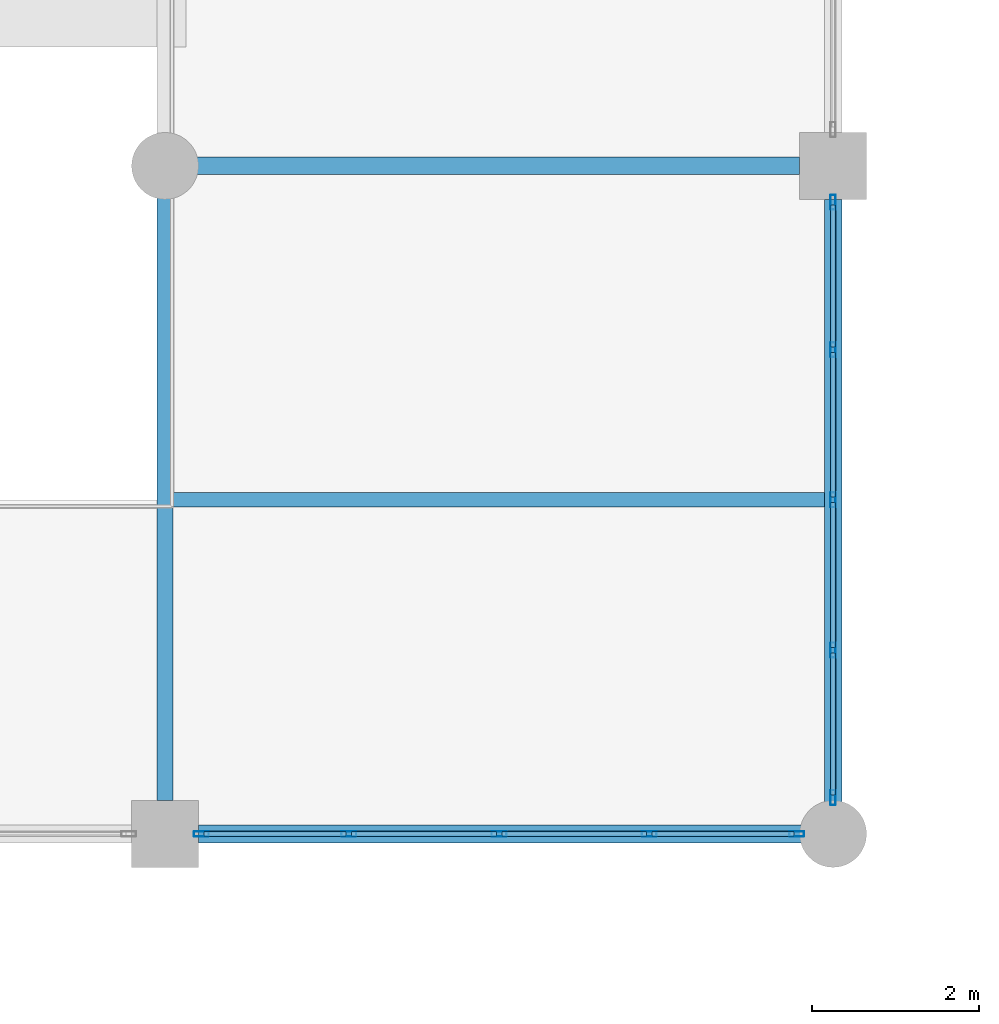
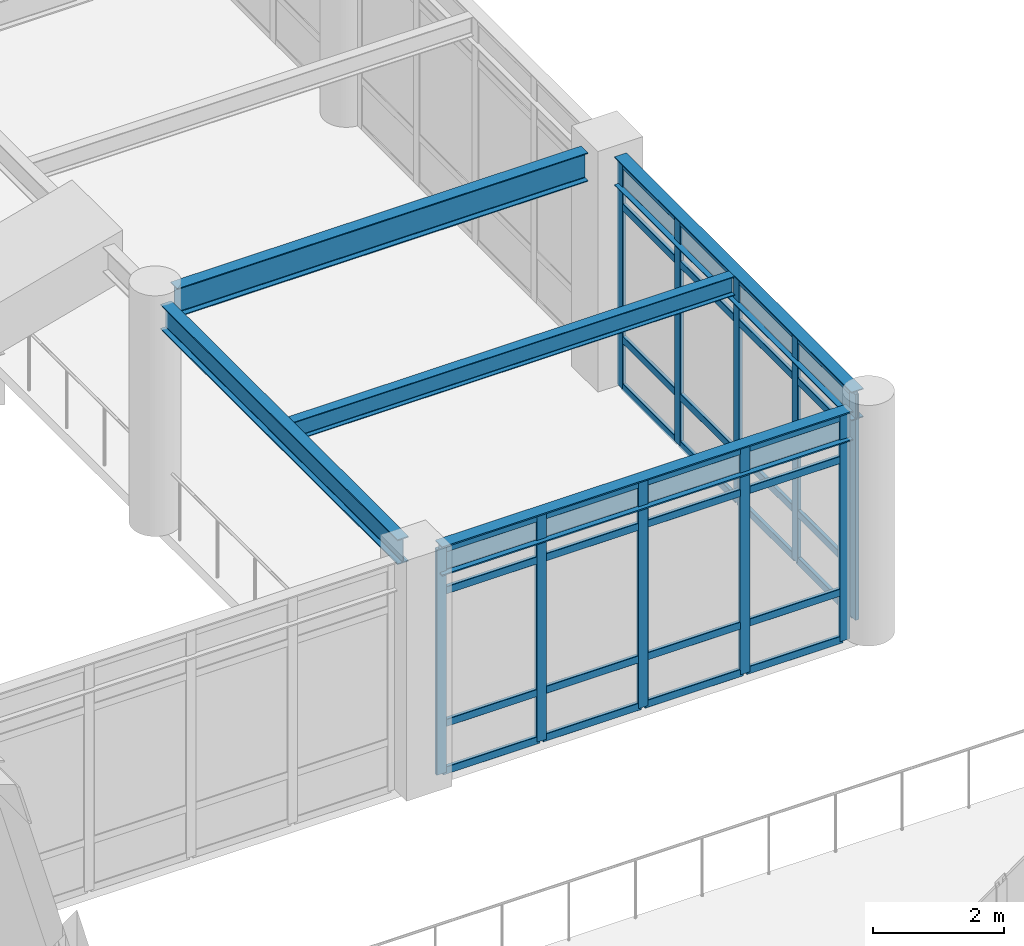
# One storey, part 31 of 111: 42 members, 5 beams, 2 elements without a shape of their own.
"""IFC4 building model written with IfcOpenShell, lengths in metres."""

from ifc_helpers import new_model, si_unit, direction, frame, origin, origin_2d, place, context, subcontext, project, spatial, hollow_rectangle, i_section, extrude, material, material_profile, profile_set, type_object, element, aggregate, save


model = new_model("IFC4")

# Units and contexts
model_context = context("Model", 3, precision=1e-05, world=origin(), true_north=direction((0.0, 1.0)))
body_context = subcontext(model_context, "Body", "Model", "MODEL_VIEW")
ifc_project = project(units=[si_unit("LENGTHUNIT", "METRE"), si_unit("AREAUNIT", "SQUARE_METRE"), si_unit("VOLUMEUNIT", "CUBIC_METRE"), si_unit("PLANEANGLEUNIT", "RADIAN"), si_unit("MASSUNIT", "GRAM", prefix="KILO")], contexts=[model_context])

# Site, building, storey
site_placement = place(None, origin())
site = spatial("IfcSite", under=ifc_project, at=site_placement, CompositionType="ELEMENT")
building_placement = place(site_placement, origin())
building = spatial("IfcBuilding", under=site, at=building_placement, Name="Solmirada Galleria", CompositionType="ELEMENT")
storey_placement = place(building_placement, frame((0.0, 0.0, 10.39990234375)))
storey = spatial("IfcBuildingStorey", under=building, at=storey_placement, Name="L02", CompositionType="ELEMENT", Elevation=10.39990234375)

# Beams
ifc_material_1 = material(Name="Steel S355 / ASTM A992 Grade 50", Category="steel")
ifc_material_profile_1 = material_profile(ifc_material_1, i_section(OverallWidth=0.194091796875, OverallDepth=0.468994140625, WebThickness=0.0126953125, FlangeThickness=0.0205078125, FilletRadius=0.013916015625, at=origin_2d()), Name="W18X71")
ifc_profile_set_1 = profile_set([ifc_material_profile_1], Name="Steel S355 / ASTM A992 Grade 50")
beam_type_1 = type_object("IfcBeamType", Name="BM-GIRD-W18B", PredefinedType="BEAM", material=ifc_profile_set_1)
beam_1_placement = place(storey_placement, frame((104.0, 48.39990234375, 4.065673828125), z_axis=(0.0, 1.0, 0.0), x_axis=(-1.0, 0.0, 0.0)))
element("IfcBeam", 1, at=beam_1_placement, inside=storey, type_object=beam_type_1, Name="Primary girder L03 Y(104, 48..56)", PredefinedType="BEAM", context=body_context, shape_type="SweptSolid", body=[
    extrude(i_section(OverallWidth=0.194091796875, OverallDepth=0.468994140625, WebThickness=0.0126953125, FlangeThickness=0.0205078125, FilletRadius=0.013916015625, at=origin_2d()), origin(), (0.0, 0.0, 1.0), 7.26416015625),
])
ifc_material_profile_2 = material_profile(ifc_material_1, i_section(OverallWidth=0.214111328125, OverallDepth=0.549072265625, WebThickness=0.0146484375, FlangeThickness=0.023681640625, FilletRadius=0.014892578125, at=origin_2d()), Name="W21X93")
ifc_profile_set_2 = profile_set([ifc_material_profile_2], Name="Steel S355 / ASTM A992 Grade 50")
beam_type_2 = type_object("IfcBeamType", Name="BM-GIRD-W21A", PredefinedType="BEAM", material=ifc_profile_set_2)
beam_2_placement = place(storey_placement, frame((104.39990234375, 48.0, 4.025634765625), z_axis=(1.0, 0.0, 0.0), x_axis=(0.0, 1.0, 0.0)))
element("IfcBeam", 2, at=beam_2_placement, inside=storey, type_object=beam_type_2, Name="Primary beam L03 X(104..112, 48)", PredefinedType="BEAM", context=body_context, shape_type="SweptSolid", body=[
    extrude(i_section(OverallWidth=0.214111328125, OverallDepth=0.549072265625, WebThickness=0.0146484375, FlangeThickness=0.023681640625, FilletRadius=0.014892578125, at=origin_2d()), origin(), (0.0, 0.0, 1.0), 7.26416015625),
])
ifc_material_profile_3 = material_profile(ifc_material_1, i_section(OverallWidth=0.2099609375, OverallDepth=0.537109375, WebThickness=0.010986328125, FlangeThickness=0.017333984375, FilletRadius=0.014892578125, at=origin_2d()), Name="W21X68")
ifc_profile_set_3 = profile_set([ifc_material_profile_3], Name="Steel S355 / ASTM A992 Grade 50")
beam_type_3 = type_object("IfcBeamType", Name="BM-GIRD-W21B", PredefinedType="BEAM", material=ifc_profile_set_3)
for number, where, z_axis, x_axis, name in (
    (3, (104.3359375, 56.0, 4.031494140625), (1.0, 0.0, 0.0), (0.0, 1.0, 0.0), "Primary beam L03 X(104..112, 56)"),
    (4, (112.0, 48.3359375, 4.031494140625), (0.0, 1.0, 0.0), (-1.0, 0.0, 0.0), "Primary girder L03 Y(112, 48..56)"),
):
    element("IfcBeam", number, at=place(storey_placement, frame(where, z_axis=z_axis, x_axis=x_axis)), inside=storey, type_object=beam_type_3, Name=name, PredefinedType="BEAM", context=body_context, shape_type="SweptSolid", body=[
        extrude(i_section(OverallWidth=0.2099609375, OverallDepth=0.537109375, WebThickness=0.010986328125, FlangeThickness=0.017333984375, FilletRadius=0.014892578125, at=origin_2d()), origin(), (0.0, 0.0, 1.0), 7.26416015625),
    ])
ifc_material_profile_4 = material_profile(ifc_material_1, i_section(OverallWidth=0.172119140625, OverallDepth=0.35791015625, WebThickness=0.0078125, FlangeThickness=0.01318359375, FilletRadius=0.011962890625, at=origin_2d()), Name="W14X38")
ifc_profile_set_4 = profile_set([ifc_material_profile_4], Name="Steel S355 / ASTM A992 Grade 50")
beam_type_4 = type_object("IfcBeamType", Name="BM-JST-W14A", PredefinedType="JOIST", material=ifc_profile_set_4)
beam_3_placement = place(storey_placement, frame((104.096923828125, 52.0, 4.12109375), z_axis=(1.0, 0.0, 0.0), x_axis=(0.0, 1.0, 0.0)))
element("IfcBeam", 5, at=beam_3_placement, inside=storey, type_object=beam_type_4, Name="Composite floor joist L03 (104..112, 52.0)", PredefinedType="JOIST", context=body_context, shape_type="SweptSolid", body=[
    extrude(i_section(OverallWidth=0.172119140625, OverallDepth=0.35791015625, WebThickness=0.0078125, FlangeThickness=0.01318359375, FilletRadius=0.011962890625, at=origin_2d()), origin(), (0.0, 0.0, 1.0), 7.798095703125),
])

# Curtain wall, members
ifc_material_2 = material(Name="Impact-resistant low-E double glazing", Category="glass")
curtain_wall_type = type_object("IfcCurtainWallType", Name="CW-FZ3-L02-B4-L072", PredefinedType="NOTDEFINED", material=ifc_material_2)
curtain_wall_1_placement = place(storey_placement, origin())
curtain_wall_1 = element("IfcCurtainWall", 6, at=curtain_wall_1_placement, inside=storey, type_object=curtain_wall_type, Name="Terrace and arcade storefront CW-L02-108", PredefinedType="NOTDEFINED")
ifc_material_3 = material(Name="Anodised aluminium framing", Category="aluminium")
ifc_material_profile_5 = material_profile(ifc_material_3, hollow_rectangle(XDim=0.06494140625, YDim=0.179931640625, WallThickness=0.00390625, InnerFilletRadius=0.00390625, OuterFilletRadius=0.008056640625, at=origin_2d()), Name="ALU-MULL-180X65")
ifc_profile_set_5 = profile_set([ifc_material_profile_5], Name="Anodised aluminium framing")
member_type_1 = type_object("IfcMemberType", Name="CW-MULL-180", PredefinedType="MULLION", material=ifc_profile_set_5)
member_1_placement = place(storey_placement, frame((112.0, 55.5654296875, 0.0), z_axis=(0.0, 0.0, 1.0), x_axis=(1.0, 0.0, 0.0)))
member_1 = element("IfcMember", 7, at=member_1_placement, type_object=member_type_1, Name="CW21 mullion 1", PredefinedType="MULLION", context=body_context, shape_type="SweptSolid", body=[
    extrude(hollow_rectangle(XDim=0.06494140625, YDim=0.179931640625, WallThickness=0.00390625, InnerFilletRadius=0.00390625, OuterFilletRadius=0.008056640625, at=origin_2d()), origin(), (0.0, 0.0, 1.0), 4.22021484375),
])
member_2_placement = place(storey_placement, frame((112.0, 53.799072265625, 0.0), z_axis=(0.0, 0.0, 1.0), x_axis=(1.0, 0.0, 0.0)))
member_2 = element("IfcMember", 8, at=member_2_placement, type_object=member_type_1, Name="CW21 mullion 2", PredefinedType="MULLION", context=body_context, shape_type="SweptSolid", body=[
    extrude(hollow_rectangle(XDim=0.06494140625, YDim=0.179931640625, WallThickness=0.00390625, InnerFilletRadius=0.00390625, OuterFilletRadius=0.008056640625, at=origin_2d()), origin(), (0.0, 0.0, 1.0), 4.22021484375),
])
member_3_placement = place(storey_placement, frame((112.0, 52.0, 0.0), z_axis=(0.0, 0.0, 1.0), x_axis=(1.0, 0.0, 0.0)))
member_3 = element("IfcMember", 9, at=member_3_placement, type_object=member_type_1, Name="CW21 mullion 3", PredefinedType="MULLION", context=body_context, shape_type="SweptSolid", body=[
    extrude(hollow_rectangle(XDim=0.06494140625, YDim=0.179931640625, WallThickness=0.00390625, InnerFilletRadius=0.00390625, OuterFilletRadius=0.008056640625, at=origin_2d()), origin(), (0.0, 0.0, 1.0), 4.22021484375),
])
member_4_placement = place(storey_placement, frame((112.0, 50.200927734375, 0.0), z_axis=(0.0, 0.0, 1.0), x_axis=(1.0, 0.0, 0.0)))
member_4 = element("IfcMember", 10, at=member_4_placement, type_object=member_type_1, Name="CW21 mullion 4", PredefinedType="MULLION", context=body_context, shape_type="SweptSolid", body=[
    extrude(hollow_rectangle(XDim=0.06494140625, YDim=0.179931640625, WallThickness=0.00390625, InnerFilletRadius=0.00390625, OuterFilletRadius=0.008056640625, at=origin_2d()), origin(), (0.0, 0.0, 1.0), 4.22021484375),
])
member_5_placement = place(storey_placement, frame((112.0, 48.4345703125, 0.0), z_axis=(0.0, 0.0, 1.0), x_axis=(1.0, 0.0, 0.0)))
member_5 = element("IfcMember", 11, at=member_5_placement, type_object=member_type_1, Name="CW21 mullion 5", PredefinedType="MULLION", context=body_context, shape_type="SweptSolid", body=[
    extrude(hollow_rectangle(XDim=0.06494140625, YDim=0.179931640625, WallThickness=0.00390625, InnerFilletRadius=0.00390625, OuterFilletRadius=0.008056640625, at=origin_2d()), origin(), (0.0, 0.0, 1.0), 4.22021484375),
])

curtain_wall_2_placement = place(storey_placement, origin())
curtain_wall_2 = element("IfcCurtainWall", 12, at=curtain_wall_2_placement, inside=storey, type_object=curtain_wall_type, Name="Terrace and arcade storefront CW-L02-109", PredefinedType="NOTDEFINED")
member_6_placement = place(storey_placement, frame((111.5654296875, 48.0, 0.0), z_axis=(0.0, 0.0, 1.0), x_axis=(0.0, -1.0, 0.0)))
member_6 = element("IfcMember", 13, at=member_6_placement, type_object=member_type_1, Name="CW21 mullion 1", PredefinedType="MULLION", context=body_context, shape_type="SweptSolid", body=[
    extrude(hollow_rectangle(XDim=0.06494140625, YDim=0.179931640625, WallThickness=0.00390625, InnerFilletRadius=0.00390625, OuterFilletRadius=0.008056640625, at=origin_2d()), origin(), (0.0, 0.0, 1.0), 4.22021484375),
])
member_7_placement = place(storey_placement, frame((109.799072265625, 48.0, 0.0), z_axis=(0.0, 0.0, 1.0), x_axis=(0.0, -1.0, 0.0)))
member_7 = element("IfcMember", 14, at=member_7_placement, type_object=member_type_1, Name="CW21 mullion 2", PredefinedType="MULLION", context=body_context, shape_type="SweptSolid", body=[
    extrude(hollow_rectangle(XDim=0.06494140625, YDim=0.179931640625, WallThickness=0.00390625, InnerFilletRadius=0.00390625, OuterFilletRadius=0.008056640625, at=origin_2d()), origin(), (0.0, 0.0, 1.0), 4.22021484375),
])
member_8_placement = place(storey_placement, frame((108.0, 48.0, 0.0), z_axis=(0.0, 0.0, 1.0), x_axis=(0.0, -1.0, 0.0)))
member_8 = element("IfcMember", 15, at=member_8_placement, type_object=member_type_1, Name="CW21 mullion 3", PredefinedType="MULLION", context=body_context, shape_type="SweptSolid", body=[
    extrude(hollow_rectangle(XDim=0.06494140625, YDim=0.179931640625, WallThickness=0.00390625, InnerFilletRadius=0.00390625, OuterFilletRadius=0.008056640625, at=origin_2d()), origin(), (0.0, 0.0, 1.0), 4.22021484375),
])
member_9_placement = place(storey_placement, frame((106.200927734375, 48.0, 0.0), z_axis=(0.0, 0.0, 1.0), x_axis=(0.0, -1.0, 0.0)))
member_9 = element("IfcMember", 16, at=member_9_placement, type_object=member_type_1, Name="CW21 mullion 4", PredefinedType="MULLION", context=body_context, shape_type="SweptSolid", body=[
    extrude(hollow_rectangle(XDim=0.06494140625, YDim=0.179931640625, WallThickness=0.00390625, InnerFilletRadius=0.00390625, OuterFilletRadius=0.008056640625, at=origin_2d()), origin(), (0.0, 0.0, 1.0), 4.22021484375),
])
member_10_placement = place(storey_placement, frame((104.4345703125, 48.0, 0.0), z_axis=(0.0, 0.0, 1.0), x_axis=(0.0, -1.0, 0.0)))
member_10 = element("IfcMember", 17, at=member_10_placement, type_object=member_type_1, Name="CW21 mullion 5", PredefinedType="MULLION", context=body_context, shape_type="SweptSolid", body=[
    extrude(hollow_rectangle(XDim=0.06494140625, YDim=0.179931640625, WallThickness=0.00390625, InnerFilletRadius=0.00390625, OuterFilletRadius=0.008056640625, at=origin_2d()), origin(), (0.0, 0.0, 1.0), 4.22021484375),
])

# Member
ifc_material_profile_6 = material_profile(ifc_material_3, hollow_rectangle(XDim=0.06494140625, YDim=0.139892578125, WallThickness=0.00341796875, InnerFilletRadius=0.00341796875, OuterFilletRadius=0.007080078125, at=origin_2d()), Name="ALU-TRAN-140X65")
ifc_profile_set_6 = profile_set([ifc_material_profile_6], Name="Anodised aluminium framing")
member_type_2 = type_object("IfcMemberType", Name="CW-TRAN-140", PredefinedType="USERDEFINED", material=ifc_profile_set_6)
member_11_placement = place(storey_placement, frame((112.0, 55.532958984375, 0.03271484375), z_axis=(0.0, -1.0, 0.0), x_axis=(1.0, 0.0, 0.0)))
member_11 = element("IfcMember", 18, at=member_11_placement, type_object=member_type_2, Name="CW21 transom 1.1", ObjectType="TRANSOM", PredefinedType="USERDEFINED", context=body_context, shape_type="SweptSolid", body=[
    extrude(hollow_rectangle(XDim=0.06494140625, YDim=0.139892578125, WallThickness=0.00341796875, InnerFilletRadius=0.00341796875, OuterFilletRadius=0.007080078125, at=origin_2d()), origin(), (0.0, 0.0, 1.0), 1.701416015625),
])

member_12_placement = place(storey_placement, frame((112.0, 55.532958984375, 0.920166015625), z_axis=(0.0, -1.0, 0.0), x_axis=(1.0, 0.0, 0.0)))
member_12 = element("IfcMember", 19, at=member_12_placement, type_object=member_type_2, Name="CW21 transom 1.2", ObjectType="TRANSOM", PredefinedType="USERDEFINED", context=body_context, shape_type="SweptSolid", body=[
    extrude(hollow_rectangle(XDim=0.06494140625, YDim=0.139892578125, WallThickness=0.00341796875, InnerFilletRadius=0.00341796875, OuterFilletRadius=0.007080078125, at=origin_2d()), origin(), (0.0, 0.0, 1.0), 1.701416015625),
])

member_13_placement = place(storey_placement, frame((112.0, 55.532958984375, 3.400146484375), z_axis=(0.0, -1.0, 0.0), x_axis=(1.0, 0.0, 0.0)))
member_13 = element("IfcMember", 20, at=member_13_placement, type_object=member_type_2, Name="CW21 transom 1.3", ObjectType="TRANSOM", PredefinedType="USERDEFINED", context=body_context, shape_type="SweptSolid", body=[
    extrude(hollow_rectangle(XDim=0.06494140625, YDim=0.139892578125, WallThickness=0.00341796875, InnerFilletRadius=0.00341796875, OuterFilletRadius=0.007080078125, at=origin_2d()), origin(), (0.0, 0.0, 1.0), 1.701416015625),
])

member_14_placement = place(storey_placement, frame((112.0, 55.532958984375, 4.1875), z_axis=(0.0, -1.0, 0.0), x_axis=(1.0, 0.0, 0.0)))
member_14 = element("IfcMember", 21, at=member_14_placement, type_object=member_type_2, Name="CW21 transom 1.4", ObjectType="TRANSOM", PredefinedType="USERDEFINED", context=body_context, shape_type="SweptSolid", body=[
    extrude(hollow_rectangle(XDim=0.06494140625, YDim=0.139892578125, WallThickness=0.00341796875, InnerFilletRadius=0.00341796875, OuterFilletRadius=0.007080078125, at=origin_2d()), origin(), (0.0, 0.0, 1.0), 1.701416015625),
])

member_15_placement = place(storey_placement, frame((112.0, 53.7666015625, 0.03271484375), z_axis=(0.0, -1.0, 0.0), x_axis=(1.0, 0.0, 0.0)))
member_15 = element("IfcMember", 22, at=member_15_placement, type_object=member_type_2, Name="CW21 transom 2.1", ObjectType="TRANSOM", PredefinedType="USERDEFINED", context=body_context, shape_type="SweptSolid", body=[
    extrude(hollow_rectangle(XDim=0.06494140625, YDim=0.139892578125, WallThickness=0.00341796875, InnerFilletRadius=0.00341796875, OuterFilletRadius=0.007080078125, at=origin_2d()), origin(), (0.0, 0.0, 1.0), 1.734130859375),
])

member_16_placement = place(storey_placement, frame((112.0, 53.7666015625, 0.920166015625), z_axis=(0.0, -1.0, 0.0), x_axis=(1.0, 0.0, 0.0)))
member_16 = element("IfcMember", 23, at=member_16_placement, type_object=member_type_2, Name="CW21 transom 2.2", ObjectType="TRANSOM", PredefinedType="USERDEFINED", context=body_context, shape_type="SweptSolid", body=[
    extrude(hollow_rectangle(XDim=0.06494140625, YDim=0.139892578125, WallThickness=0.00341796875, InnerFilletRadius=0.00341796875, OuterFilletRadius=0.007080078125, at=origin_2d()), origin(), (0.0, 0.0, 1.0), 1.734130859375),
])

member_17_placement = place(storey_placement, frame((112.0, 53.7666015625, 3.400146484375), z_axis=(0.0, -1.0, 0.0), x_axis=(1.0, 0.0, 0.0)))
member_17 = element("IfcMember", 24, at=member_17_placement, type_object=member_type_2, Name="CW21 transom 2.3", ObjectType="TRANSOM", PredefinedType="USERDEFINED", context=body_context, shape_type="SweptSolid", body=[
    extrude(hollow_rectangle(XDim=0.06494140625, YDim=0.139892578125, WallThickness=0.00341796875, InnerFilletRadius=0.00341796875, OuterFilletRadius=0.007080078125, at=origin_2d()), origin(), (0.0, 0.0, 1.0), 1.734130859375),
])

member_18_placement = place(storey_placement, frame((112.0, 53.7666015625, 4.1875), z_axis=(0.0, -1.0, 0.0), x_axis=(1.0, 0.0, 0.0)))
member_18 = element("IfcMember", 25, at=member_18_placement, type_object=member_type_2, Name="CW21 transom 2.4", ObjectType="TRANSOM", PredefinedType="USERDEFINED", context=body_context, shape_type="SweptSolid", body=[
    extrude(hollow_rectangle(XDim=0.06494140625, YDim=0.139892578125, WallThickness=0.00341796875, InnerFilletRadius=0.00341796875, OuterFilletRadius=0.007080078125, at=origin_2d()), origin(), (0.0, 0.0, 1.0), 1.734130859375),
])

member_19_placement = place(storey_placement, frame((112.0, 51.967529296875, 0.03271484375), z_axis=(0.0, -1.0, 0.0), x_axis=(1.0, 0.0, 0.0)))
member_19 = element("IfcMember", 26, at=member_19_placement, type_object=member_type_2, Name="CW21 transom 3.1", ObjectType="TRANSOM", PredefinedType="USERDEFINED", context=body_context, shape_type="SweptSolid", body=[
    extrude(hollow_rectangle(XDim=0.06494140625, YDim=0.139892578125, WallThickness=0.00341796875, InnerFilletRadius=0.00341796875, OuterFilletRadius=0.007080078125, at=origin_2d()), origin(), (0.0, 0.0, 1.0), 1.734130859375),
])

member_20_placement = place(storey_placement, frame((112.0, 51.967529296875, 0.920166015625), z_axis=(0.0, -1.0, 0.0), x_axis=(1.0, 0.0, 0.0)))
member_20 = element("IfcMember", 27, at=member_20_placement, type_object=member_type_2, Name="CW21 transom 3.2", ObjectType="TRANSOM", PredefinedType="USERDEFINED", context=body_context, shape_type="SweptSolid", body=[
    extrude(hollow_rectangle(XDim=0.06494140625, YDim=0.139892578125, WallThickness=0.00341796875, InnerFilletRadius=0.00341796875, OuterFilletRadius=0.007080078125, at=origin_2d()), origin(), (0.0, 0.0, 1.0), 1.734130859375),
])

member_21_placement = place(storey_placement, frame((112.0, 51.967529296875, 3.400146484375), z_axis=(0.0, -1.0, 0.0), x_axis=(1.0, 0.0, 0.0)))
member_21 = element("IfcMember", 28, at=member_21_placement, type_object=member_type_2, Name="CW21 transom 3.3", ObjectType="TRANSOM", PredefinedType="USERDEFINED", context=body_context, shape_type="SweptSolid", body=[
    extrude(hollow_rectangle(XDim=0.06494140625, YDim=0.139892578125, WallThickness=0.00341796875, InnerFilletRadius=0.00341796875, OuterFilletRadius=0.007080078125, at=origin_2d()), origin(), (0.0, 0.0, 1.0), 1.734130859375),
])

member_22_placement = place(storey_placement, frame((112.0, 51.967529296875, 4.1875), z_axis=(0.0, -1.0, 0.0), x_axis=(1.0, 0.0, 0.0)))
member_22 = element("IfcMember", 29, at=member_22_placement, type_object=member_type_2, Name="CW21 transom 3.4", ObjectType="TRANSOM", PredefinedType="USERDEFINED", context=body_context, shape_type="SweptSolid", body=[
    extrude(hollow_rectangle(XDim=0.06494140625, YDim=0.139892578125, WallThickness=0.00341796875, InnerFilletRadius=0.00341796875, OuterFilletRadius=0.007080078125, at=origin_2d()), origin(), (0.0, 0.0, 1.0), 1.734130859375),
])

member_23_placement = place(storey_placement, frame((112.0, 50.16845703125, 0.03271484375), z_axis=(0.0, -1.0, 0.0), x_axis=(1.0, 0.0, 0.0)))
member_23 = element("IfcMember", 30, at=member_23_placement, type_object=member_type_2, Name="CW21 transom 4.1", ObjectType="TRANSOM", PredefinedType="USERDEFINED", context=body_context, shape_type="SweptSolid", body=[
    extrude(hollow_rectangle(XDim=0.06494140625, YDim=0.139892578125, WallThickness=0.00341796875, InnerFilletRadius=0.00341796875, OuterFilletRadius=0.007080078125, at=origin_2d()), origin(), (0.0, 0.0, 1.0), 1.701416015625),
])

member_24_placement = place(storey_placement, frame((112.0, 50.16845703125, 0.920166015625), z_axis=(0.0, -1.0, 0.0), x_axis=(1.0, 0.0, 0.0)))
member_24 = element("IfcMember", 31, at=member_24_placement, type_object=member_type_2, Name="CW21 transom 4.2", ObjectType="TRANSOM", PredefinedType="USERDEFINED", context=body_context, shape_type="SweptSolid", body=[
    extrude(hollow_rectangle(XDim=0.06494140625, YDim=0.139892578125, WallThickness=0.00341796875, InnerFilletRadius=0.00341796875, OuterFilletRadius=0.007080078125, at=origin_2d()), origin(), (0.0, 0.0, 1.0), 1.701416015625),
])

member_25_placement = place(storey_placement, frame((112.0, 50.16845703125, 3.400146484375), z_axis=(0.0, -1.0, 0.0), x_axis=(1.0, 0.0, 0.0)))
member_25 = element("IfcMember", 32, at=member_25_placement, type_object=member_type_2, Name="CW21 transom 4.3", ObjectType="TRANSOM", PredefinedType="USERDEFINED", context=body_context, shape_type="SweptSolid", body=[
    extrude(hollow_rectangle(XDim=0.06494140625, YDim=0.139892578125, WallThickness=0.00341796875, InnerFilletRadius=0.00341796875, OuterFilletRadius=0.007080078125, at=origin_2d()), origin(), (0.0, 0.0, 1.0), 1.701416015625),
])

member_26_placement = place(storey_placement, frame((112.0, 50.16845703125, 4.1875), z_axis=(0.0, -1.0, 0.0), x_axis=(1.0, 0.0, 0.0)))
member_26 = element("IfcMember", 33, at=member_26_placement, type_object=member_type_2, Name="CW21 transom 4.4", ObjectType="TRANSOM", PredefinedType="USERDEFINED", context=body_context, shape_type="SweptSolid", body=[
    extrude(hollow_rectangle(XDim=0.06494140625, YDim=0.139892578125, WallThickness=0.00341796875, InnerFilletRadius=0.00341796875, OuterFilletRadius=0.007080078125, at=origin_2d()), origin(), (0.0, 0.0, 1.0), 1.701416015625),
])

aggregate(curtain_wall_1, [member_1, member_2, member_3, member_4, member_5, member_11, member_12, member_13, member_14, member_15, member_16, member_17, member_18, member_19, member_20, member_21, member_22, member_23, member_24, member_25, member_26])

member_27_placement = place(storey_placement, frame((111.532958984375, 48.0, 0.03271484375), z_axis=(-1.0, 0.0, 0.0), x_axis=(0.0, -1.0, 0.0)))
member_27 = element("IfcMember", 34, at=member_27_placement, type_object=member_type_2, Name="CW21 transom 1.1", ObjectType="TRANSOM", PredefinedType="USERDEFINED", context=body_context, shape_type="SweptSolid", body=[
    extrude(hollow_rectangle(XDim=0.06494140625, YDim=0.139892578125, WallThickness=0.00341796875, InnerFilletRadius=0.00341796875, OuterFilletRadius=0.007080078125, at=origin_2d()), origin(), (0.0, 0.0, 1.0), 1.701416015625),
])

member_28_placement = place(storey_placement, frame((111.532958984375, 48.0, 0.920166015625), z_axis=(-1.0, 0.0, 0.0), x_axis=(0.0, -1.0, 0.0)))
member_28 = element("IfcMember", 35, at=member_28_placement, type_object=member_type_2, Name="CW21 transom 1.2", ObjectType="TRANSOM", PredefinedType="USERDEFINED", context=body_context, shape_type="SweptSolid", body=[
    extrude(hollow_rectangle(XDim=0.06494140625, YDim=0.139892578125, WallThickness=0.00341796875, InnerFilletRadius=0.00341796875, OuterFilletRadius=0.007080078125, at=origin_2d()), origin(), (0.0, 0.0, 1.0), 1.701416015625),
])

member_29_placement = place(storey_placement, frame((111.532958984375, 48.0, 3.400146484375), z_axis=(-1.0, 0.0, 0.0), x_axis=(0.0, -1.0, 0.0)))
member_29 = element("IfcMember", 36, at=member_29_placement, type_object=member_type_2, Name="CW21 transom 1.3", ObjectType="TRANSOM", PredefinedType="USERDEFINED", context=body_context, shape_type="SweptSolid", body=[
    extrude(hollow_rectangle(XDim=0.06494140625, YDim=0.139892578125, WallThickness=0.00341796875, InnerFilletRadius=0.00341796875, OuterFilletRadius=0.007080078125, at=origin_2d()), origin(), (0.0, 0.0, 1.0), 1.701416015625),
])

member_30_placement = place(storey_placement, frame((111.532958984375, 48.0, 4.1875), z_axis=(-1.0, 0.0, 0.0), x_axis=(0.0, -1.0, 0.0)))
member_30 = element("IfcMember", 37, at=member_30_placement, type_object=member_type_2, Name="CW21 transom 1.4", ObjectType="TRANSOM", PredefinedType="USERDEFINED", context=body_context, shape_type="SweptSolid", body=[
    extrude(hollow_rectangle(XDim=0.06494140625, YDim=0.139892578125, WallThickness=0.00341796875, InnerFilletRadius=0.00341796875, OuterFilletRadius=0.007080078125, at=origin_2d()), origin(), (0.0, 0.0, 1.0), 1.701416015625),
])

member_31_placement = place(storey_placement, frame((109.7666015625, 48.0, 0.03271484375), z_axis=(-1.0, 0.0, 0.0), x_axis=(0.0, -1.0, 0.0)))
member_31 = element("IfcMember", 38, at=member_31_placement, type_object=member_type_2, Name="CW21 transom 2.1", ObjectType="TRANSOM", PredefinedType="USERDEFINED", context=body_context, shape_type="SweptSolid", body=[
    extrude(hollow_rectangle(XDim=0.06494140625, YDim=0.139892578125, WallThickness=0.00341796875, InnerFilletRadius=0.00341796875, OuterFilletRadius=0.007080078125, at=origin_2d()), origin(), (0.0, 0.0, 1.0), 1.734130859375),
])

member_32_placement = place(storey_placement, frame((109.7666015625, 48.0, 0.920166015625), z_axis=(-1.0, 0.0, 0.0), x_axis=(0.0, -1.0, 0.0)))
member_32 = element("IfcMember", 39, at=member_32_placement, type_object=member_type_2, Name="CW21 transom 2.2", ObjectType="TRANSOM", PredefinedType="USERDEFINED", context=body_context, shape_type="SweptSolid", body=[
    extrude(hollow_rectangle(XDim=0.06494140625, YDim=0.139892578125, WallThickness=0.00341796875, InnerFilletRadius=0.00341796875, OuterFilletRadius=0.007080078125, at=origin_2d()), origin(), (0.0, 0.0, 1.0), 1.734130859375),
])

member_33_placement = place(storey_placement, frame((109.7666015625, 48.0, 3.400146484375), z_axis=(-1.0, 0.0, 0.0), x_axis=(0.0, -1.0, 0.0)))
member_33 = element("IfcMember", 40, at=member_33_placement, type_object=member_type_2, Name="CW21 transom 2.3", ObjectType="TRANSOM", PredefinedType="USERDEFINED", context=body_context, shape_type="SweptSolid", body=[
    extrude(hollow_rectangle(XDim=0.06494140625, YDim=0.139892578125, WallThickness=0.00341796875, InnerFilletRadius=0.00341796875, OuterFilletRadius=0.007080078125, at=origin_2d()), origin(), (0.0, 0.0, 1.0), 1.734130859375),
])

member_34_placement = place(storey_placement, frame((109.7666015625, 48.0, 4.1875), z_axis=(-1.0, 0.0, 0.0), x_axis=(0.0, -1.0, 0.0)))
member_34 = element("IfcMember", 41, at=member_34_placement, type_object=member_type_2, Name="CW21 transom 2.4", ObjectType="TRANSOM", PredefinedType="USERDEFINED", context=body_context, shape_type="SweptSolid", body=[
    extrude(hollow_rectangle(XDim=0.06494140625, YDim=0.139892578125, WallThickness=0.00341796875, InnerFilletRadius=0.00341796875, OuterFilletRadius=0.007080078125, at=origin_2d()), origin(), (0.0, 0.0, 1.0), 1.734130859375),
])

member_35_placement = place(storey_placement, frame((107.967529296875, 48.0, 0.03271484375), z_axis=(-1.0, 0.0, 0.0), x_axis=(0.0, -1.0, 0.0)))
member_35 = element("IfcMember", 42, at=member_35_placement, type_object=member_type_2, Name="CW21 transom 3.1", ObjectType="TRANSOM", PredefinedType="USERDEFINED", context=body_context, shape_type="SweptSolid", body=[
    extrude(hollow_rectangle(XDim=0.06494140625, YDim=0.139892578125, WallThickness=0.00341796875, InnerFilletRadius=0.00341796875, OuterFilletRadius=0.007080078125, at=origin_2d()), origin(), (0.0, 0.0, 1.0), 1.734130859375),
])

member_36_placement = place(storey_placement, frame((107.967529296875, 48.0, 0.920166015625), z_axis=(-1.0, 0.0, 0.0), x_axis=(0.0, -1.0, 0.0)))
member_36 = element("IfcMember", 43, at=member_36_placement, type_object=member_type_2, Name="CW21 transom 3.2", ObjectType="TRANSOM", PredefinedType="USERDEFINED", context=body_context, shape_type="SweptSolid", body=[
    extrude(hollow_rectangle(XDim=0.06494140625, YDim=0.139892578125, WallThickness=0.00341796875, InnerFilletRadius=0.00341796875, OuterFilletRadius=0.007080078125, at=origin_2d()), origin(), (0.0, 0.0, 1.0), 1.734130859375),
])

member_37_placement = place(storey_placement, frame((107.967529296875, 48.0, 3.400146484375), z_axis=(-1.0, 0.0, 0.0), x_axis=(0.0, -1.0, 0.0)))
member_37 = element("IfcMember", 44, at=member_37_placement, type_object=member_type_2, Name="CW21 transom 3.3", ObjectType="TRANSOM", PredefinedType="USERDEFINED", context=body_context, shape_type="SweptSolid", body=[
    extrude(hollow_rectangle(XDim=0.06494140625, YDim=0.139892578125, WallThickness=0.00341796875, InnerFilletRadius=0.00341796875, OuterFilletRadius=0.007080078125, at=origin_2d()), origin(), (0.0, 0.0, 1.0), 1.734130859375),
])

member_38_placement = place(storey_placement, frame((107.967529296875, 48.0, 4.1875), z_axis=(-1.0, 0.0, 0.0), x_axis=(0.0, -1.0, 0.0)))
member_38 = element("IfcMember", 45, at=member_38_placement, type_object=member_type_2, Name="CW21 transom 3.4", ObjectType="TRANSOM", PredefinedType="USERDEFINED", context=body_context, shape_type="SweptSolid", body=[
    extrude(hollow_rectangle(XDim=0.06494140625, YDim=0.139892578125, WallThickness=0.00341796875, InnerFilletRadius=0.00341796875, OuterFilletRadius=0.007080078125, at=origin_2d()), origin(), (0.0, 0.0, 1.0), 1.734130859375),
])

member_39_placement = place(storey_placement, frame((106.16845703125, 48.0, 0.03271484375), z_axis=(-1.0, 0.0, 0.0), x_axis=(0.0, -1.0, 0.0)))
member_39 = element("IfcMember", 46, at=member_39_placement, type_object=member_type_2, Name="CW21 transom 4.1", ObjectType="TRANSOM", PredefinedType="USERDEFINED", context=body_context, shape_type="SweptSolid", body=[
    extrude(hollow_rectangle(XDim=0.06494140625, YDim=0.139892578125, WallThickness=0.00341796875, InnerFilletRadius=0.00341796875, OuterFilletRadius=0.007080078125, at=origin_2d()), origin(), (0.0, 0.0, 1.0), 1.701416015625),
])

member_40_placement = place(storey_placement, frame((106.16845703125, 48.0, 0.920166015625), z_axis=(-1.0, 0.0, 0.0), x_axis=(0.0, -1.0, 0.0)))
member_40 = element("IfcMember", 47, at=member_40_placement, type_object=member_type_2, Name="CW21 transom 4.2", ObjectType="TRANSOM", PredefinedType="USERDEFINED", context=body_context, shape_type="SweptSolid", body=[
    extrude(hollow_rectangle(XDim=0.06494140625, YDim=0.139892578125, WallThickness=0.00341796875, InnerFilletRadius=0.00341796875, OuterFilletRadius=0.007080078125, at=origin_2d()), origin(), (0.0, 0.0, 1.0), 1.701416015625),
])

member_41_placement = place(storey_placement, frame((106.16845703125, 48.0, 3.400146484375), z_axis=(-1.0, 0.0, 0.0), x_axis=(0.0, -1.0, 0.0)))
member_41 = element("IfcMember", 48, at=member_41_placement, type_object=member_type_2, Name="CW21 transom 4.3", ObjectType="TRANSOM", PredefinedType="USERDEFINED", context=body_context, shape_type="SweptSolid", body=[
    extrude(hollow_rectangle(XDim=0.06494140625, YDim=0.139892578125, WallThickness=0.00341796875, InnerFilletRadius=0.00341796875, OuterFilletRadius=0.007080078125, at=origin_2d()), origin(), (0.0, 0.0, 1.0), 1.701416015625),
])

member_42_placement = place(storey_placement, frame((106.16845703125, 48.0, 4.1875), z_axis=(-1.0, 0.0, 0.0), x_axis=(0.0, -1.0, 0.0)))
member_42 = element("IfcMember", 49, at=member_42_placement, type_object=member_type_2, Name="CW21 transom 4.4", ObjectType="TRANSOM", PredefinedType="USERDEFINED", context=body_context, shape_type="SweptSolid", body=[
    extrude(hollow_rectangle(XDim=0.06494140625, YDim=0.139892578125, WallThickness=0.00341796875, InnerFilletRadius=0.00341796875, OuterFilletRadius=0.007080078125, at=origin_2d()), origin(), (0.0, 0.0, 1.0), 1.701416015625),
])

aggregate(curtain_wall_2, [member_6, member_7, member_8, member_9, member_10, member_27, member_28, member_29, member_30, member_31, member_32, member_33, member_34, member_35, member_36, member_37, member_38, member_39, member_40, member_41, member_42])

save(model, "model.ifc")
